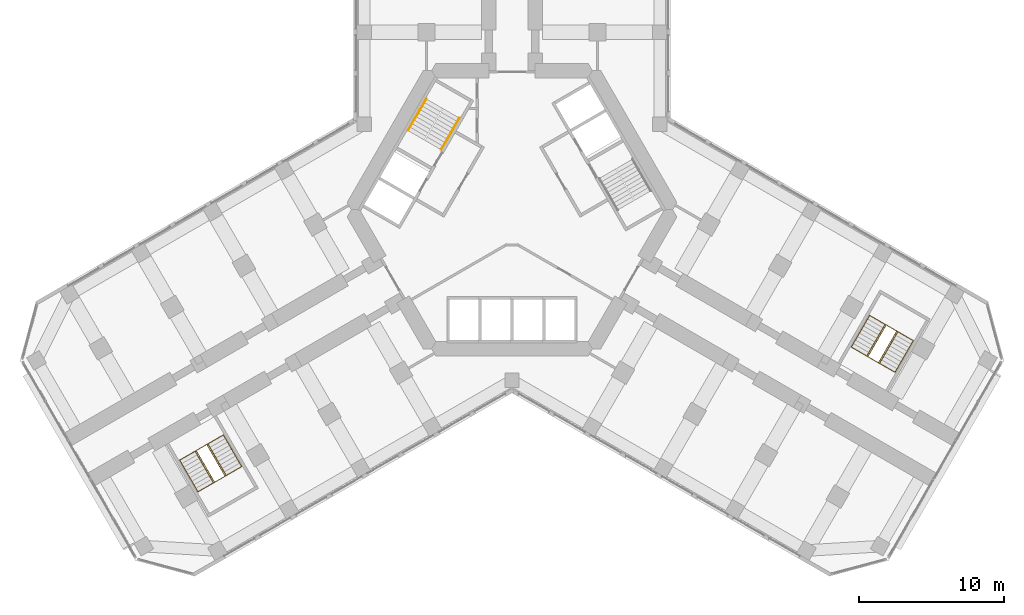
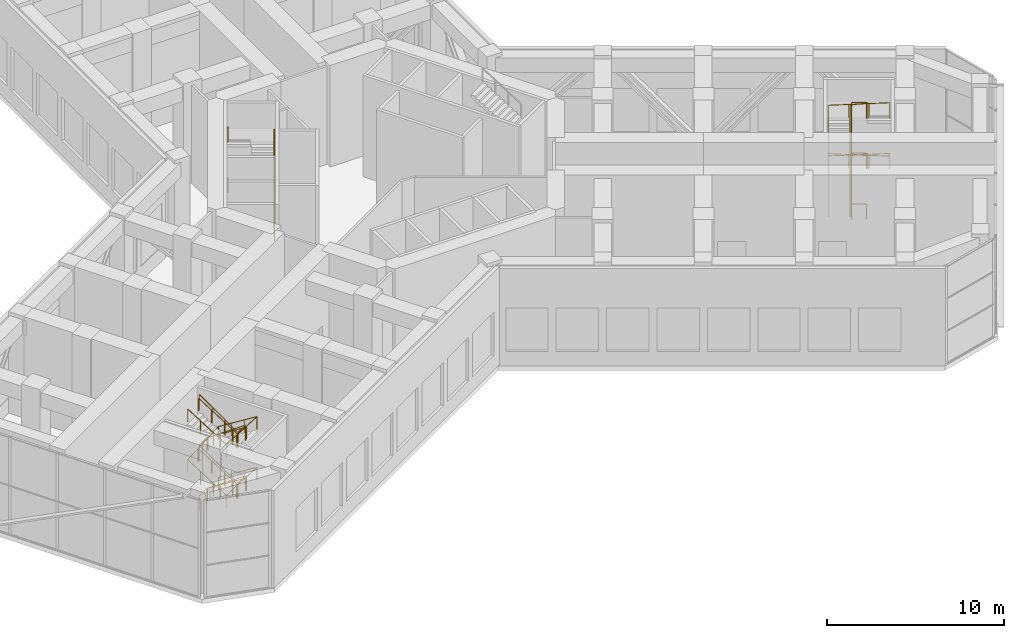
# One storey, part 16 of 17: 10 railings.
"""IFC4 building model written with IfcOpenShell, lengths in metres."""

from ifc_helpers import new_model, si_unit, direction, frame, origin, origin_2d, place, context, subcontext, project, spatial, circle, extrude, material, type_object, element, save


model = new_model("IFC4")

# Units and contexts
model_context = context("Model", 3, precision=1e-05, world=origin(), true_north=direction((0.0, 1.0)))
body_context = subcontext(model_context, "Body", "Model", "MODEL_VIEW")
ifc_project = project(units=[si_unit("LENGTHUNIT", "METRE"), si_unit("AREAUNIT", "SQUARE_METRE"), si_unit("VOLUMEUNIT", "CUBIC_METRE"), si_unit("PLANEANGLEUNIT", "RADIAN"), si_unit("MASSUNIT", "GRAM", prefix="KILO")], contexts=[model_context])

# Site, building, storey
site_placement = place(None, origin())
site = spatial("IfcSite", under=ifc_project, at=site_placement, CompositionType="ELEMENT")
building_placement = place(site_placement, origin())
building = spatial("IfcBuilding", under=site, at=building_placement, Name="Kosmar Iwan School Tower", CompositionType="ELEMENT")
storey_placement = place(building_placement, frame((0.0, 0.0, 113.199951171875)))
storey = spatial("IfcBuildingStorey", under=building, at=storey_placement, Name="L28", CompositionType="ELEMENT", Elevation=113.199951171875)

# Railings
ifc_material_1 = material(Name="Black steel", Category="steel")
railing_type_1 = type_object("IfcRailingType", Name="Stair handrail 900", PredefinedType="HANDRAIL", material=ifc_material_1)
railing_1_placement = place(storey_placement, frame((-4.89453125, 4.142333984375, 0.175048828125)))
element("IfcRailing", 1, at=railing_1_placement, inside=storey, type_object=railing_type_1, Name="Handrail ST2 flight 1", PredefinedType="HANDRAIL", context=body_context, shape_type="SweptSolid", body=[
    extrude(circle(Radius=0.02392578125, at=origin_2d()), frame((0.0, 0.0, 0.8759765625), z_axis=(0.42400668935, 0.73439174503, 0.529987822708), x_axis=(-0.866022637375, 0.500004791531, 0.0)), (0.0, 0.0, 1.0), 2.9716796875),
    extrude(circle(Radius=0.02099609375, at=origin_2d()), origin(), (0.0, 0.0, 1.0), 0.851806640625),
    extrude(circle(Radius=0.02099609375, at=origin_2d()), frame((0.419921875, 0.7275390625, 0.52490234375)), (0.0, 0.0, 1.0), 0.851806640625),
    extrude(circle(Radius=0.02099609375, at=origin_2d()), frame((0.840087890625, 1.454833984375, 1.050048828125)), (0.0, 0.0, 1.0), 0.851806640625),
    extrude(circle(Radius=0.02099609375, at=origin_2d()), frame((1.260009765625, 2.182373046875, 1.574951171875)), (0.0, 0.0, 1.0), 0.851806640625),
])
railing_2_placement = place(storey_placement, frame((-5.912353515625, 7.6396484375, 1.925048828125)))
element("IfcRailing", 2, at=railing_2_placement, inside=storey, type_object=railing_type_1, Name="Handrail ST2 flight 2", PredefinedType="HANDRAIL", context=body_context, shape_type="SweptSolid", body=[
    extrude(circle(Radius=0.02392578125, at=origin_2d()), frame((0.0, 0.0, 0.8759765625), z_axis=(-0.42400668935, -0.73439174503, 0.529987822708), x_axis=(0.866022637375, -0.500004791531, 0.0)), (0.0, 0.0, 1.0), 2.9716796875),
    extrude(circle(Radius=0.02099609375, at=origin_2d()), origin(), (0.0, 0.0, 1.0), 0.851806640625),
    extrude(circle(Radius=0.02099609375, at=origin_2d()), frame((-0.419921875, -0.7275390625, 0.52490234375)), (0.0, 0.0, 1.0), 0.851806640625),
    extrude(circle(Radius=0.02099609375, at=origin_2d()), frame((-0.840087890625, -1.454833984375, 1.050048828125)), (0.0, 0.0, 1.0), 0.851806640625),
    extrude(circle(Radius=0.02099609375, at=origin_2d()), frame((-1.260009765625, -2.182373046875, 1.574951171875)), (0.0, 0.0, 1.0), 0.851806640625),
])
railing_3_placement = place(storey_placement, frame((-4.89453125, 4.142333984375, 3.675048828125)))
element("IfcRailing", 3, at=railing_3_placement, inside=storey, type_object=railing_type_1, Name="Handrail ST2 flight 3", PredefinedType="HANDRAIL", context=body_context, shape_type="SweptSolid", body=[
    extrude(circle(Radius=0.02392578125, at=origin_2d()), frame((0.0, 0.0, 0.8759765625), z_axis=(0.42400668935, 0.73439174503, 0.529987822708), x_axis=(-0.866022637375, 0.500004791531, 0.0)), (0.0, 0.0, 1.0), 2.9716796875),
    extrude(circle(Radius=0.02099609375, at=origin_2d()), origin(), (0.0, 0.0, 1.0), 0.851806640625),
    extrude(circle(Radius=0.02099609375, at=origin_2d()), frame((0.419921875, 0.7275390625, 0.52490234375)), (0.0, 0.0, 1.0), 0.851806640625),
    extrude(circle(Radius=0.02099609375, at=origin_2d()), frame((0.840087890625, 1.454833984375, 1.050048828125)), (0.0, 0.0, 1.0), 0.851806640625),
    extrude(circle(Radius=0.02099609375, at=origin_2d()), frame((1.260009765625, 2.182373046875, 1.574951171875)), (0.0, 0.0, 1.0), 0.851806640625),
])
railing_4_placement = place(storey_placement, frame((-5.912353515625, 7.6396484375, 5.425048828125)))
element("IfcRailing", 4, at=railing_4_placement, inside=storey, type_object=railing_type_1, Name="Handrail ST2 flight 4", PredefinedType="HANDRAIL", context=body_context, shape_type="SweptSolid", body=[
    extrude(circle(Radius=0.02392578125, at=origin_2d()), frame((0.0, 0.0, 0.8759765625), z_axis=(-0.42400668935, -0.73439174503, 0.529987822708), x_axis=(0.866022637375, -0.500004791531, 0.0)), (0.0, 0.0, 1.0), 2.9716796875),
    extrude(circle(Radius=0.02099609375, at=origin_2d()), origin(), (0.0, 0.0, 1.0), 0.851806640625),
    extrude(circle(Radius=0.02099609375, at=origin_2d()), frame((-0.419921875, -0.7275390625, 0.52490234375)), (0.0, 0.0, 1.0), 0.851806640625),
    extrude(circle(Radius=0.02099609375, at=origin_2d()), frame((-0.840087890625, -1.454833984375, 1.050048828125)), (0.0, 0.0, 1.0), 0.851806640625),
    extrude(circle(Radius=0.02099609375, at=origin_2d()), frame((-1.260009765625, -2.182373046875, 1.574951171875)), (0.0, 0.0, 1.0), 0.851806640625),
])
railing_5_placement = place(storey_placement, frame((-19.9091796875, -15.5361328125, 0.175048828125)))
element("IfcRailing", 5, at=railing_5_placement, inside=storey, type_object=railing_type_1, Name="Handrail stair WS2 L28 wall side", PredefinedType="HANDRAIL", context=body_context, shape_type="SweptSolid", body=[
    extrude(circle(Radius=0.02392578125, at=origin_2d()), frame((0.0, 0.0, 0.8759765625), z_axis=(0.42393930004, -0.734417326174, 0.530006283829), x_axis=(0.866064587494, 0.499932125682, 0.0)), (0.0, 0.0, 1.0), 2.9716796875),
    extrude(circle(Radius=0.02392578125, at=origin_2d()), frame((1.259765625, -2.182373046875, 2.45068359375), z_axis=(-0.864926089001, -0.499378502617, 0.050239144995), x_axis=(0.500009906705, -0.86601968407, 0.0)), (0.0, 0.0, 1.0), 3.484375),
    extrude(circle(Radius=0.02392578125, at=origin_2d()), frame((-1.75390625, -3.92236328125, 2.6259765625), z_axis=(-0.42400668935, 0.73439174503, 0.529987822708), x_axis=(-0.866022637375, -0.500004791531, 0.0)), (0.0, 0.0, 1.0), 2.9716796875),
    extrude(circle(Radius=0.02392578125, at=origin_2d()), frame((-3.013916015625, -1.739990234375, 4.20068359375), z_axis=(0.864943737863, 0.499348239753, 0.050236100449), x_axis=(-0.499979528911, 0.866037222451, 0.0)), (0.0, 0.0, 1.0), 3.484619140625),
    extrude(circle(Radius=0.02392578125, at=origin_2d()), frame((0.0, 0.0, 4.3759765625), z_axis=(0.42393930004, -0.734417326174, 0.530006283829), x_axis=(0.866064587494, 0.499932125682, 0.0)), (0.0, 0.0, 1.0), 2.9716796875),
    extrude(circle(Radius=0.02392578125, at=origin_2d()), frame((1.259765625, -2.182373046875, 5.95068359375), z_axis=(-0.864926089001, -0.499378502617, 0.050239144995), x_axis=(0.500009906705, -0.86601968407, 0.0)), (0.0, 0.0, 1.0), 3.484375),
    extrude(circle(Radius=0.02392578125, at=origin_2d()), frame((-1.75390625, -3.92236328125, 6.1259765625), z_axis=(-0.42400668935, 0.73439174503, 0.529987822708), x_axis=(-0.866022637375, -0.500004791531, 0.0)), (0.0, 0.0, 1.0), 2.9716796875),
    extrude(circle(Radius=0.02099609375, at=origin_2d()), origin(), (0.0, 0.0, 1.0), 0.851806640625),
    extrude(circle(Radius=0.02099609375, at=origin_2d()), frame((0.419921875, -0.7275390625, 0.52490234375)), (0.0, 0.0, 1.0), 0.851806640625),
    extrude(circle(Radius=0.02099609375, at=origin_2d()), frame((0.83984375, -1.454833984375, 1.050048828125)), (0.0, 0.0, 1.0), 0.851806640625),
    extrude(circle(Radius=0.02099609375, at=origin_2d()), frame((1.259765625, -2.182373046875, 1.574951171875)), (0.0, 0.0, 1.0), 0.851806640625),
    extrude(circle(Radius=0.02099609375, at=origin_2d()), frame((0.255126953125, -2.762451171875, 1.63330078125)), (0.0, 0.0, 1.0), 0.851806640625),
    extrude(circle(Radius=0.02099609375, at=origin_2d()), frame((-0.749267578125, -3.34228515625, 1.691650390625)), (0.0, 0.0, 1.0), 0.851806640625),
    extrude(circle(Radius=0.02099609375, at=origin_2d()), frame((-1.75390625, -3.92236328125, 1.75)), (0.0, 0.0, 1.0), 0.851806640625),
    extrude(circle(Radius=0.02099609375, at=origin_2d()), frame((-2.173828125, -3.19482421875, 2.27490234375)), (0.0, 0.0, 1.0), 0.851806640625),
    extrude(circle(Radius=0.02099609375, at=origin_2d()), frame((-2.593994140625, -2.467529296875, 2.800048828125)), (0.0, 0.0, 1.0), 0.851806640625),
    extrude(circle(Radius=0.02099609375, at=origin_2d()), frame((-3.013916015625, -1.739990234375, 3.324951171875)), (0.0, 0.0, 1.0), 0.851806640625),
    extrude(circle(Radius=0.02099609375, at=origin_2d()), frame((-2.00927734375, -1.159912109375, 3.38330078125)), (0.0, 0.0, 1.0), 0.851806640625),
    extrude(circle(Radius=0.02099609375, at=origin_2d()), frame((-1.004638671875, -0.580078125, 3.441650390625)), (0.0, 0.0, 1.0), 0.851806640625),
    extrude(circle(Radius=0.02099609375, at=origin_2d()), frame((0.0, 0.0, 3.5)), (0.0, 0.0, 1.0), 0.851806640625),
    extrude(circle(Radius=0.02099609375, at=origin_2d()), frame((0.419921875, -0.7275390625, 4.02490234375)), (0.0, 0.0, 1.0), 0.851806640625),
    extrude(circle(Radius=0.02099609375, at=origin_2d()), frame((0.83984375, -1.454833984375, 4.550048828125)), (0.0, 0.0, 1.0), 0.851806640625),
    extrude(circle(Radius=0.02099609375, at=origin_2d()), frame((1.259765625, -2.182373046875, 5.074951171875)), (0.0, 0.0, 1.0), 0.851806640625),
    extrude(circle(Radius=0.02099609375, at=origin_2d()), frame((0.255126953125, -2.762451171875, 5.13330078125)), (0.0, 0.0, 1.0), 0.851806640625),
    extrude(circle(Radius=0.02099609375, at=origin_2d()), frame((-0.749267578125, -3.34228515625, 5.191650390625)), (0.0, 0.0, 1.0), 0.851806640625),
    extrude(circle(Radius=0.02099609375, at=origin_2d()), frame((-1.75390625, -3.92236328125, 5.25)), (0.0, 0.0, 1.0), 0.851806640625),
    extrude(circle(Radius=0.02099609375, at=origin_2d()), frame((-2.173828125, -3.19482421875, 5.77490234375)), (0.0, 0.0, 1.0), 0.851806640625),
    extrude(circle(Radius=0.02099609375, at=origin_2d()), frame((-2.593994140625, -2.467529296875, 6.300048828125)), (0.0, 0.0, 1.0), 0.851806640625),
    extrude(circle(Radius=0.02099609375, at=origin_2d()), frame((-3.013916015625, -1.739990234375, 6.824951171875)), (0.0, 0.0, 1.0), 0.851806640625),
])
railing_6_placement = place(storey_placement, frame((-20.974609375, -16.151123046875, 0.175048828125)))
element("IfcRailing", 6, at=railing_6_placement, inside=storey, type_object=railing_type_1, Name="Handrail stair WS2 L28 well side", PredefinedType="HANDRAIL", context=body_context, shape_type="SweptSolid", body=[
    extrude(circle(Radius=0.02392578125, at=origin_2d()), frame((0.0, 0.0, 0.8759765625), z_axis=(0.42400668935, -0.73439174503, 0.529987822708), x_axis=(0.866022637375, 0.500004791531, 0.0)), (0.0, 0.0, 1.0), 2.9716796875),
    extrude(circle(Radius=0.02392578125, at=origin_2d()), frame((1.260009765625, -2.182373046875, 2.45068359375), z_axis=(-0.853531376367, -0.49282118442, 0.169149252862), x_axis=(0.500026340207, -0.866010195725, 0.0)), (0.0, 0.0, 1.0), 1.034912109375),
    extrude(circle(Radius=0.02392578125, at=origin_2d()), frame((0.376708984375, -2.6923828125, 2.6259765625), z_axis=(-0.42400668935, 0.73439174503, 0.529987822708), x_axis=(-0.866022637375, -0.500004791531, 0.0)), (0.0, 0.0, 1.0), 2.9716796875),
    extrude(circle(Radius=0.02392578125, at=origin_2d()), frame((-0.88330078125, -0.510009765625, 4.20068359375), z_axis=(0.853531376367, 0.49282118442, 0.169149252862), x_axis=(-0.500026340207, 0.866010195725, 0.0)), (0.0, 0.0, 1.0), 1.034912109375),
    extrude(circle(Radius=0.02392578125, at=origin_2d()), frame((0.0, 0.0, 4.3759765625), z_axis=(0.42400668935, -0.73439174503, 0.529987822708), x_axis=(0.866022637375, 0.500004791531, 0.0)), (0.0, 0.0, 1.0), 2.9716796875),
    extrude(circle(Radius=0.02392578125, at=origin_2d()), frame((1.260009765625, -2.182373046875, 5.95068359375), z_axis=(-0.853531376367, -0.49282118442, 0.169149252862), x_axis=(0.500026340207, -0.866010195725, 0.0)), (0.0, 0.0, 1.0), 1.034912109375),
    extrude(circle(Radius=0.02392578125, at=origin_2d()), frame((0.376708984375, -2.6923828125, 6.1259765625), z_axis=(-0.42400668935, 0.73439174503, 0.529987822708), x_axis=(-0.866022637375, -0.500004791531, 0.0)), (0.0, 0.0, 1.0), 2.9716796875),
    extrude(circle(Radius=0.02099609375, at=origin_2d()), origin(), (0.0, 0.0, 1.0), 0.851806640625),
    extrude(circle(Radius=0.02099609375, at=origin_2d()), frame((0.419921875, -0.7275390625, 0.52490234375)), (0.0, 0.0, 1.0), 0.851806640625),
    extrude(circle(Radius=0.02099609375, at=origin_2d()), frame((0.840087890625, -1.454833984375, 1.050048828125)), (0.0, 0.0, 1.0), 0.851806640625),
    extrude(circle(Radius=0.02099609375, at=origin_2d()), frame((1.260009765625, -2.182373046875, 1.574951171875)), (0.0, 0.0, 1.0), 0.851806640625),
    extrude(circle(Radius=0.02099609375, at=origin_2d()), frame((0.376708984375, -2.6923828125, 1.75)), (0.0, 0.0, 1.0), 0.851806640625),
    extrude(circle(Radius=0.02099609375, at=origin_2d()), frame((-0.043212890625, -1.96484375, 2.27490234375)), (0.0, 0.0, 1.0), 0.851806640625),
    extrude(circle(Radius=0.02099609375, at=origin_2d()), frame((-0.46337890625, -1.237548828125, 2.800048828125)), (0.0, 0.0, 1.0), 0.851806640625),
    extrude(circle(Radius=0.02099609375, at=origin_2d()), frame((-0.88330078125, -0.510009765625, 3.324951171875)), (0.0, 0.0, 1.0), 0.851806640625),
    extrude(circle(Radius=0.02099609375, at=origin_2d()), frame((0.0, 0.0, 3.5)), (0.0, 0.0, 1.0), 0.851806640625),
    extrude(circle(Radius=0.02099609375, at=origin_2d()), frame((0.419921875, -0.7275390625, 4.02490234375)), (0.0, 0.0, 1.0), 0.851806640625),
    extrude(circle(Radius=0.02099609375, at=origin_2d()), frame((0.840087890625, -1.454833984375, 4.550048828125)), (0.0, 0.0, 1.0), 0.851806640625),
    extrude(circle(Radius=0.02099609375, at=origin_2d()), frame((1.260009765625, -2.182373046875, 5.074951171875)), (0.0, 0.0, 1.0), 0.851806640625),
    extrude(circle(Radius=0.02099609375, at=origin_2d()), frame((0.376708984375, -2.6923828125, 5.25)), (0.0, 0.0, 1.0), 0.851806640625),
    extrude(circle(Radius=0.02099609375, at=origin_2d()), frame((-0.043212890625, -1.96484375, 5.77490234375)), (0.0, 0.0, 1.0), 0.851806640625),
    extrude(circle(Radius=0.02099609375, at=origin_2d()), frame((-0.46337890625, -1.237548828125, 6.300048828125)), (0.0, 0.0, 1.0), 0.851806640625),
    extrude(circle(Radius=0.02099609375, at=origin_2d()), frame((-0.88330078125, -0.510009765625, 6.824951171875)), (0.0, 0.0, 1.0), 0.851806640625),
])
railing_7_placement = place(storey_placement, frame((23.4091796875, -9.473876953125, 0.175048828125)))
element("IfcRailing", 7, at=railing_7_placement, inside=storey, type_object=railing_type_1, Name="Handrail stair WS3 L28 wall side", PredefinedType="HANDRAIL", context=body_context, shape_type="SweptSolid", body=[
    extrude(circle(Radius=0.02392578125, at=origin_2d()), frame((0.0, 0.0, 0.8759765625), z_axis=(0.42400668935, 0.73439174503, 0.529987822708), x_axis=(-0.866022637375, 0.500004791531, 0.0)), (0.0, 0.0, 1.0), 2.9716796875),
    extrude(circle(Radius=0.02392578125, at=origin_2d()), frame((1.260009765625, 2.182373046875, 2.45068359375), z_axis=(0.864943737863, -0.499348239753, 0.050236100449), x_axis=(0.499979528911, 0.866037222451, 0.0)), (0.0, 0.0, 1.0), 3.484619140625),
    extrude(circle(Radius=0.02392578125, at=origin_2d()), frame((4.27392578125, 0.4423828125, 2.6259765625), z_axis=(-0.42400668935, -0.73439174503, 0.529987822708), x_axis=(0.866022637375, -0.500004791531, 0.0)), (0.0, 0.0, 1.0), 2.9716796875),
    extrude(circle(Radius=0.02392578125, at=origin_2d()), frame((3.013916015625, -1.739990234375, 4.20068359375), z_axis=(-0.864943737863, 0.499348239753, 0.050236100449), x_axis=(-0.499979528911, -0.866037222451, 0.0)), (0.0, 0.0, 1.0), 3.484619140625),
    extrude(circle(Radius=0.02392578125, at=origin_2d()), frame((0.0, 0.0, 4.3759765625), z_axis=(0.42400668935, 0.73439174503, 0.529987822708), x_axis=(-0.866022637375, 0.500004791531, 0.0)), (0.0, 0.0, 1.0), 2.9716796875),
    extrude(circle(Radius=0.02392578125, at=origin_2d()), frame((1.260009765625, 2.182373046875, 5.95068359375), z_axis=(0.864943737863, -0.499348239753, 0.050236100449), x_axis=(0.499979528911, 0.866037222451, 0.0)), (0.0, 0.0, 1.0), 3.484619140625),
    extrude(circle(Radius=0.02392578125, at=origin_2d()), frame((4.27392578125, 0.4423828125, 6.1259765625), z_axis=(-0.42400668935, -0.73439174503, 0.529987822708), x_axis=(0.866022637375, -0.500004791531, 0.0)), (0.0, 0.0, 1.0), 2.9716796875),
    extrude(circle(Radius=0.02099609375, at=origin_2d()), origin(), (0.0, 0.0, 1.0), 0.851806640625),
    extrude(circle(Radius=0.02099609375, at=origin_2d()), frame((0.419921875, 0.7275390625, 0.52490234375)), (0.0, 0.0, 1.0), 0.851806640625),
    extrude(circle(Radius=0.02099609375, at=origin_2d()), frame((0.840087890625, 1.454833984375, 1.050048828125)), (0.0, 0.0, 1.0), 0.851806640625),
    extrude(circle(Radius=0.02099609375, at=origin_2d()), frame((1.260009765625, 2.182373046875, 1.574951171875)), (0.0, 0.0, 1.0), 0.851806640625),
    extrude(circle(Radius=0.02099609375, at=origin_2d()), frame((2.2646484375, 1.602294921875, 1.63330078125)), (0.0, 0.0, 1.0), 0.851806640625),
    extrude(circle(Radius=0.02099609375, at=origin_2d()), frame((3.269287109375, 1.0224609375, 1.691650390625)), (0.0, 0.0, 1.0), 0.851806640625),
    extrude(circle(Radius=0.02099609375, at=origin_2d()), frame((4.27392578125, 0.4423828125, 1.75)), (0.0, 0.0, 1.0), 0.851806640625),
    extrude(circle(Radius=0.02099609375, at=origin_2d()), frame((3.85400390625, -0.28515625, 2.27490234375)), (0.0, 0.0, 1.0), 0.851806640625),
    extrude(circle(Radius=0.02099609375, at=origin_2d()), frame((3.433837890625, -1.012451171875, 2.800048828125)), (0.0, 0.0, 1.0), 0.851806640625),
    extrude(circle(Radius=0.02099609375, at=origin_2d()), frame((3.013916015625, -1.739990234375, 3.324951171875)), (0.0, 0.0, 1.0), 0.851806640625),
    extrude(circle(Radius=0.02099609375, at=origin_2d()), frame((2.00927734375, -1.159912109375, 3.38330078125)), (0.0, 0.0, 1.0), 0.851806640625),
    extrude(circle(Radius=0.02099609375, at=origin_2d()), frame((1.004638671875, -0.580078125, 3.441650390625)), (0.0, 0.0, 1.0), 0.851806640625),
    extrude(circle(Radius=0.02099609375, at=origin_2d()), frame((0.0, 0.0, 3.5)), (0.0, 0.0, 1.0), 0.851806640625),
    extrude(circle(Radius=0.02099609375, at=origin_2d()), frame((0.419921875, 0.7275390625, 4.02490234375)), (0.0, 0.0, 1.0), 0.851806640625),
    extrude(circle(Radius=0.02099609375, at=origin_2d()), frame((0.840087890625, 1.454833984375, 4.550048828125)), (0.0, 0.0, 1.0), 0.851806640625),
    extrude(circle(Radius=0.02099609375, at=origin_2d()), frame((1.260009765625, 2.182373046875, 5.074951171875)), (0.0, 0.0, 1.0), 0.851806640625),
    extrude(circle(Radius=0.02099609375, at=origin_2d()), frame((2.2646484375, 1.602294921875, 5.13330078125)), (0.0, 0.0, 1.0), 0.851806640625),
    extrude(circle(Radius=0.02099609375, at=origin_2d()), frame((3.269287109375, 1.0224609375, 5.191650390625)), (0.0, 0.0, 1.0), 0.851806640625),
    extrude(circle(Radius=0.02099609375, at=origin_2d()), frame((4.27392578125, 0.4423828125, 5.25)), (0.0, 0.0, 1.0), 0.851806640625),
    extrude(circle(Radius=0.02099609375, at=origin_2d()), frame((3.85400390625, -0.28515625, 5.77490234375)), (0.0, 0.0, 1.0), 0.851806640625),
    extrude(circle(Radius=0.02099609375, at=origin_2d()), frame((3.433837890625, -1.012451171875, 6.300048828125)), (0.0, 0.0, 1.0), 0.851806640625),
    extrude(circle(Radius=0.02099609375, at=origin_2d()), frame((3.013916015625, -1.739990234375, 6.824951171875)), (0.0, 0.0, 1.0), 0.851806640625),
])
railing_8_placement = place(storey_placement, frame((24.474609375, -10.0888671875, 0.175048828125)))
element("IfcRailing", 8, at=railing_8_placement, inside=storey, type_object=railing_type_1, Name="Handrail stair WS3 L28 well side", PredefinedType="HANDRAIL", context=body_context, shape_type="SweptSolid", body=[
    extrude(circle(Radius=0.02392578125, at=origin_2d()), frame((0.0, 0.0, 0.8759765625), z_axis=(0.42400668935, 0.73439174503, 0.529987822708), x_axis=(-0.866022637375, 0.500004791531, 0.0)), (0.0, 0.0, 1.0), 2.9716796875),
    extrude(circle(Radius=0.02392578125, at=origin_2d()), frame((1.260009765625, 2.182373046875, 2.45068359375), z_axis=(0.853531376367, -0.49282118442, 0.169149252862), x_axis=(0.500026340207, 0.866010195725, 0.0)), (0.0, 0.0, 1.0), 1.034912109375),
    extrude(circle(Radius=0.02392578125, at=origin_2d()), frame((2.143310546875, 1.67236328125, 2.6259765625), z_axis=(-0.42400668935, -0.73439174503, 0.529987822708), x_axis=(0.866022637375, -0.500004791531, 0.0)), (0.0, 0.0, 1.0), 2.9716796875),
    extrude(circle(Radius=0.02392578125, at=origin_2d()), frame((0.88330078125, -0.510009765625, 4.20068359375), z_axis=(-0.853531376367, 0.49282118442, 0.169149252862), x_axis=(-0.500026340207, -0.866010195725, 0.0)), (0.0, 0.0, 1.0), 1.034912109375),
    extrude(circle(Radius=0.02392578125, at=origin_2d()), frame((0.0, 0.0, 4.3759765625), z_axis=(0.42400668935, 0.73439174503, 0.529987822708), x_axis=(-0.866022637375, 0.500004791531, 0.0)), (0.0, 0.0, 1.0), 2.9716796875),
    extrude(circle(Radius=0.02392578125, at=origin_2d()), frame((1.260009765625, 2.182373046875, 5.95068359375), z_axis=(0.853531376367, -0.49282118442, 0.169149252862), x_axis=(0.500026340207, 0.866010195725, 0.0)), (0.0, 0.0, 1.0), 1.034912109375),
    extrude(circle(Radius=0.02392578125, at=origin_2d()), frame((2.143310546875, 1.67236328125, 6.1259765625), z_axis=(-0.42400668935, -0.73439174503, 0.529987822708), x_axis=(0.866022637375, -0.500004791531, 0.0)), (0.0, 0.0, 1.0), 2.9716796875),
    extrude(circle(Radius=0.02099609375, at=origin_2d()), origin(), (0.0, 0.0, 1.0), 0.851806640625),
    extrude(circle(Radius=0.02099609375, at=origin_2d()), frame((0.419921875, 0.7275390625, 0.52490234375)), (0.0, 0.0, 1.0), 0.851806640625),
    extrude(circle(Radius=0.02099609375, at=origin_2d()), frame((0.840087890625, 1.454833984375, 1.050048828125)), (0.0, 0.0, 1.0), 0.851806640625),
    extrude(circle(Radius=0.02099609375, at=origin_2d()), frame((1.260009765625, 2.182373046875, 1.574951171875)), (0.0, 0.0, 1.0), 0.851806640625),
    extrude(circle(Radius=0.02099609375, at=origin_2d()), frame((2.143310546875, 1.67236328125, 1.75)), (0.0, 0.0, 1.0), 0.851806640625),
    extrude(circle(Radius=0.02099609375, at=origin_2d()), frame((1.723388671875, 0.94482421875, 2.27490234375)), (0.0, 0.0, 1.0), 0.851806640625),
    extrude(circle(Radius=0.02099609375, at=origin_2d()), frame((1.30322265625, 0.217529296875, 2.800048828125)), (0.0, 0.0, 1.0), 0.851806640625),
    extrude(circle(Radius=0.02099609375, at=origin_2d()), frame((0.88330078125, -0.510009765625, 3.324951171875)), (0.0, 0.0, 1.0), 0.851806640625),
    extrude(circle(Radius=0.02099609375, at=origin_2d()), frame((0.0, 0.0, 3.5)), (0.0, 0.0, 1.0), 0.851806640625),
    extrude(circle(Radius=0.02099609375, at=origin_2d()), frame((0.419921875, 0.7275390625, 4.02490234375)), (0.0, 0.0, 1.0), 0.851806640625),
    extrude(circle(Radius=0.02099609375, at=origin_2d()), frame((0.840087890625, 1.454833984375, 4.550048828125)), (0.0, 0.0, 1.0), 0.851806640625),
    extrude(circle(Radius=0.02099609375, at=origin_2d()), frame((1.260009765625, 2.182373046875, 5.074951171875)), (0.0, 0.0, 1.0), 0.851806640625),
    extrude(circle(Radius=0.02099609375, at=origin_2d()), frame((2.143310546875, 1.67236328125, 5.25)), (0.0, 0.0, 1.0), 0.851806640625),
    extrude(circle(Radius=0.02099609375, at=origin_2d()), frame((1.723388671875, 0.94482421875, 5.77490234375)), (0.0, 0.0, 1.0), 0.851806640625),
    extrude(circle(Radius=0.02099609375, at=origin_2d()), frame((1.30322265625, 0.217529296875, 6.300048828125)), (0.0, 0.0, 1.0), 0.851806640625),
    extrude(circle(Radius=0.02099609375, at=origin_2d()), frame((0.88330078125, -0.510009765625, 6.824951171875)), (0.0, 0.0, 1.0), 0.851806640625),
])
ifc_material_2 = material(Name="Black steel", Category="steel")
railing_type_2 = type_object("IfcRailingType", Name="Stair well guard 1100", PredefinedType="GUARDRAIL", material=ifc_material_2)
railing_9_placement = place(storey_placement, frame((-21.780029296875, -16.6162109375, 0.0)))
element("IfcRailing", 9, at=railing_9_placement, inside=storey, type_object=railing_type_2, Name="Stair WS2 L28 well guard", PredefinedType="GUARDRAIL", context=body_context, shape_type="SweptSolid", body=[
    extrude(circle(Radius=0.02392578125, at=origin_2d()), frame((0.0, 0.0, 1.076171875), z_axis=(0.865962960534, 0.500108139288, 0.0), x_axis=(-0.500108139288, 0.865962960534, 0.0)), (0.0, 0.0, 1.0), 0.840087890625),
    extrude(circle(Radius=0.02392578125, at=origin_2d()), frame((0.7275390625, 0.420166015625, 1.076171875), z_axis=(0.410688673594, -0.711324559825, 0.570396514691), x_axis=(0.866022637375, 0.500004791531, 0.0)), (0.0, 0.0, 1.0), 3.068115234375),
    extrude(circle(Radius=0.02392578125, at=origin_2d()), frame((1.987548828125, -1.76220703125, 2.826171875), z_axis=(-0.865962960534, -0.500108139288, 0.0), x_axis=(0.500108139288, -0.865962960534, 0.0)), (0.0, 0.0, 1.0), 0.840087890625),
    extrude(circle(Radius=0.02392578125, at=origin_2d()), frame((1.260009765625, -2.182373046875, 2.826171875), z_axis=(-0.410688673594, 0.711324559825, 0.570396514691), x_axis=(-0.866022637375, -0.500004791531, 0.0)), (0.0, 0.0, 1.0), 3.068115234375),
    extrude(circle(Radius=0.02392578125, at=origin_2d()), frame((0.0, 0.0, 4.576171875), z_axis=(0.865962960534, 0.500108139288, 0.0), x_axis=(-0.500108139288, 0.865962960534, 0.0)), (0.0, 0.0, 1.0), 0.840087890625),
    extrude(circle(Radius=0.02392578125, at=origin_2d()), frame((0.7275390625, 0.420166015625, 4.576171875), z_axis=(0.410688673594, -0.711324559825, 0.570396514691), x_axis=(0.866022637375, 0.500004791531, 0.0)), (0.0, 0.0, 1.0), 3.068115234375),
    extrude(circle(Radius=0.02392578125, at=origin_2d()), frame((1.987548828125, -1.76220703125, 6.326171875), z_axis=(-0.865962960534, -0.500108139288, 0.0), x_axis=(0.500108139288, -0.865962960534, 0.0)), (0.0, 0.0, 1.0), 0.840087890625),
    extrude(circle(Radius=0.02392578125, at=origin_2d()), frame((1.260009765625, -2.182373046875, 6.326171875), z_axis=(-0.410688673594, 0.711324559825, 0.570396514691), x_axis=(-0.866022637375, -0.500004791531, 0.0)), (0.0, 0.0, 1.0), 3.068115234375),
    extrude(circle(Radius=0.02099609375, at=origin_2d()), origin(), (0.0, 0.0, 1.0), 1.052001953125),
    extrude(circle(Radius=0.02099609375, at=origin_2d()), frame((0.7275390625, 0.420166015625, 0.0)), (0.0, 0.0, 1.0), 1.052001953125),
    extrude(circle(Radius=0.02099609375, at=origin_2d()), frame((1.1474609375, -0.307373046875, 0.583251953125)), (0.0, 0.0, 1.0), 1.052001953125),
    extrude(circle(Radius=0.02099609375, at=origin_2d()), frame((1.567626953125, -1.03466796875, 1.166748046875)), (0.0, 0.0, 1.0), 1.052001953125),
    extrude(circle(Radius=0.02099609375, at=origin_2d()), frame((1.987548828125, -1.76220703125, 1.75)), (0.0, 0.0, 1.0), 1.052001953125),
    extrude(circle(Radius=0.02099609375, at=origin_2d()), frame((1.260009765625, -2.182373046875, 1.75)), (0.0, 0.0, 1.0), 1.052001953125),
    extrude(circle(Radius=0.02099609375, at=origin_2d()), frame((0.840087890625, -1.454833984375, 2.333251953125)), (0.0, 0.0, 1.0), 1.052001953125),
    extrude(circle(Radius=0.02099609375, at=origin_2d()), frame((0.419921875, -0.7275390625, 2.916748046875)), (0.0, 0.0, 1.0), 1.052001953125),
    extrude(circle(Radius=0.02099609375, at=origin_2d()), frame((0.0, 0.0, 3.5)), (0.0, 0.0, 1.0), 1.052001953125),
    extrude(circle(Radius=0.02099609375, at=origin_2d()), frame((0.7275390625, 0.420166015625, 3.5)), (0.0, 0.0, 1.0), 1.052001953125),
    extrude(circle(Radius=0.02099609375, at=origin_2d()), frame((1.1474609375, -0.307373046875, 4.083251953125)), (0.0, 0.0, 1.0), 1.052001953125),
    extrude(circle(Radius=0.02099609375, at=origin_2d()), frame((1.567626953125, -1.03466796875, 4.666748046875)), (0.0, 0.0, 1.0), 1.052001953125),
    extrude(circle(Radius=0.02099609375, at=origin_2d()), frame((1.987548828125, -1.76220703125, 5.25)), (0.0, 0.0, 1.0), 1.052001953125),
    extrude(circle(Radius=0.02099609375, at=origin_2d()), frame((1.260009765625, -2.182373046875, 5.25)), (0.0, 0.0, 1.0), 1.052001953125),
    extrude(circle(Radius=0.02099609375, at=origin_2d()), frame((0.840087890625, -1.454833984375, 5.833251953125)), (0.0, 0.0, 1.0), 1.052001953125),
    extrude(circle(Radius=0.02099609375, at=origin_2d()), frame((0.419921875, -0.7275390625, 6.416748046875)), (0.0, 0.0, 1.0), 1.052001953125),
    extrude(circle(Radius=0.02099609375, at=origin_2d()), frame((0.0, 0.0, 7.0)), (0.0, 0.0, 1.0), 1.052001953125),
])
railing_10_placement = place(storey_placement, frame((25.280029296875, -10.553955078125, 0.0)))
element("IfcRailing", 10, at=railing_10_placement, inside=storey, type_object=railing_type_2, Name="Stair WS3 L28 well guard", PredefinedType="GUARDRAIL", context=body_context, shape_type="SweptSolid", body=[
    extrude(circle(Radius=0.02392578125, at=origin_2d()), frame((0.0, 0.0, 1.076171875), z_axis=(-0.865962960534, 0.500108139288, 0.0), x_axis=(-0.500108139288, -0.865962960534, 0.0)), (0.0, 0.0, 1.0), 0.840087890625),
    extrude(circle(Radius=0.02392578125, at=origin_2d()), frame((-0.7275390625, 0.420166015625, 1.076171875), z_axis=(0.410688673594, 0.711324559825, 0.570396514691), x_axis=(-0.866022637375, 0.500004791531, 0.0)), (0.0, 0.0, 1.0), 3.068115234375),
    extrude(circle(Radius=0.02392578125, at=origin_2d()), frame((0.532470703125, 2.6025390625, 2.826171875), z_axis=(0.865890253765, -0.500234013672, 0.0), x_axis=(0.500234013672, 0.865890253765, 0.0)), (0.0, 0.0, 1.0), 0.83984375),
    extrude(circle(Radius=0.02392578125, at=origin_2d()), frame((1.259765625, 2.182373046875, 2.826171875), z_axis=(-0.410622516545, -0.71134780531, 0.570415154767), x_axis=(0.866064587494, -0.499932125682, 0.0)), (0.0, 0.0, 1.0), 3.06787109375),
    extrude(circle(Radius=0.02392578125, at=origin_2d()), frame((0.0, 0.0, 4.576171875), z_axis=(-0.865962960534, 0.500108139288, 0.0), x_axis=(-0.500108139288, -0.865962960534, 0.0)), (0.0, 0.0, 1.0), 0.840087890625),
    extrude(circle(Radius=0.02392578125, at=origin_2d()), frame((-0.7275390625, 0.420166015625, 4.576171875), z_axis=(0.410688673594, 0.711324559825, 0.570396514691), x_axis=(-0.866022637375, 0.500004791531, 0.0)), (0.0, 0.0, 1.0), 3.068115234375),
    extrude(circle(Radius=0.02392578125, at=origin_2d()), frame((0.532470703125, 2.6025390625, 6.326171875), z_axis=(0.865890253765, -0.500234013672, 0.0), x_axis=(0.500234013672, 0.865890253765, 0.0)), (0.0, 0.0, 1.0), 0.83984375),
    extrude(circle(Radius=0.02392578125, at=origin_2d()), frame((1.259765625, 2.182373046875, 6.326171875), z_axis=(-0.410622516545, -0.71134780531, 0.570415154767), x_axis=(0.866064587494, -0.499932125682, 0.0)), (0.0, 0.0, 1.0), 3.06787109375),
    extrude(circle(Radius=0.02099609375, at=origin_2d()), origin(), (0.0, 0.0, 1.0), 1.052001953125),
    extrude(circle(Radius=0.02099609375, at=origin_2d()), frame((-0.7275390625, 0.420166015625, 0.0)), (0.0, 0.0, 1.0), 1.052001953125),
    extrude(circle(Radius=0.02099609375, at=origin_2d()), frame((-0.3076171875, 1.147705078125, 0.583251953125)), (0.0, 0.0, 1.0), 1.052001953125),
    extrude(circle(Radius=0.02099609375, at=origin_2d()), frame((0.112548828125, 1.875, 1.166748046875)), (0.0, 0.0, 1.0), 1.052001953125),
    extrude(circle(Radius=0.02099609375, at=origin_2d()), frame((0.532470703125, 2.6025390625, 1.75)), (0.0, 0.0, 1.0), 1.052001953125),
    extrude(circle(Radius=0.02099609375, at=origin_2d()), frame((1.259765625, 2.182373046875, 1.75)), (0.0, 0.0, 1.0), 1.052001953125),
    extrude(circle(Radius=0.02099609375, at=origin_2d()), frame((0.83984375, 1.454833984375, 2.333251953125)), (0.0, 0.0, 1.0), 1.052001953125),
    extrude(circle(Radius=0.02099609375, at=origin_2d()), frame((0.419921875, 0.7275390625, 2.916748046875)), (0.0, 0.0, 1.0), 1.052001953125),
    extrude(circle(Radius=0.02099609375, at=origin_2d()), frame((0.0, 0.0, 3.5)), (0.0, 0.0, 1.0), 1.052001953125),
    extrude(circle(Radius=0.02099609375, at=origin_2d()), frame((-0.7275390625, 0.420166015625, 3.5)), (0.0, 0.0, 1.0), 1.052001953125),
    extrude(circle(Radius=0.02099609375, at=origin_2d()), frame((-0.3076171875, 1.147705078125, 4.083251953125)), (0.0, 0.0, 1.0), 1.052001953125),
    extrude(circle(Radius=0.02099609375, at=origin_2d()), frame((0.112548828125, 1.875, 4.666748046875)), (0.0, 0.0, 1.0), 1.052001953125),
    extrude(circle(Radius=0.02099609375, at=origin_2d()), frame((0.532470703125, 2.6025390625, 5.25)), (0.0, 0.0, 1.0), 1.052001953125),
    extrude(circle(Radius=0.02099609375, at=origin_2d()), frame((1.259765625, 2.182373046875, 5.25)), (0.0, 0.0, 1.0), 1.052001953125),
    extrude(circle(Radius=0.02099609375, at=origin_2d()), frame((0.83984375, 1.454833984375, 5.833251953125)), (0.0, 0.0, 1.0), 1.052001953125),
    extrude(circle(Radius=0.02099609375, at=origin_2d()), frame((0.419921875, 0.7275390625, 6.416748046875)), (0.0, 0.0, 1.0), 1.052001953125),
    extrude(circle(Radius=0.02099609375, at=origin_2d()), frame((0.0, 0.0, 7.0)), (0.0, 0.0, 1.0), 1.052001953125),
])

save(model, "model.ifc")
